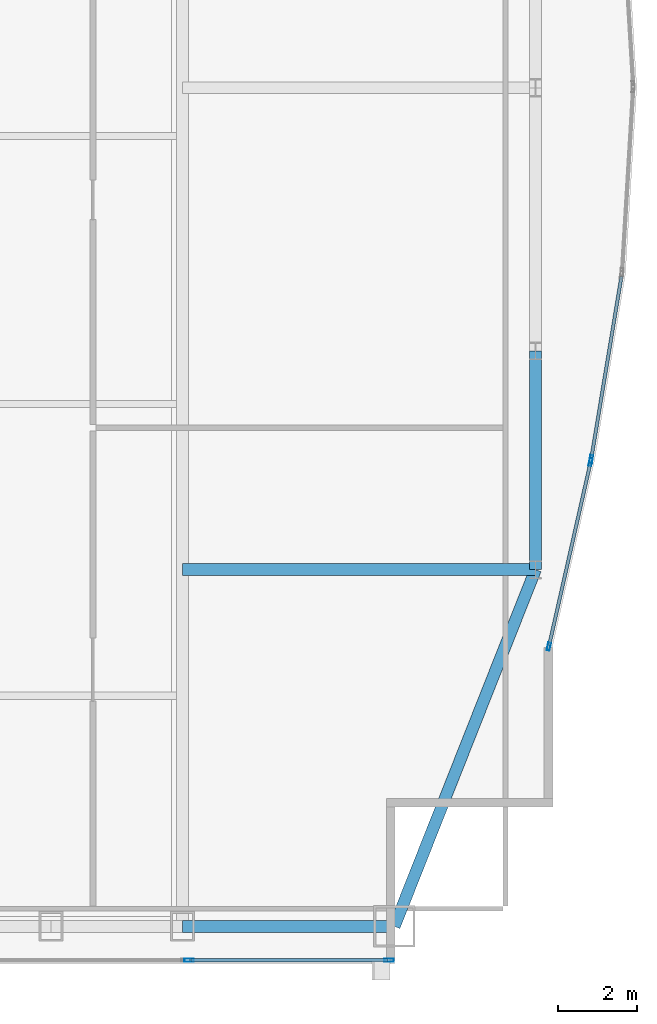
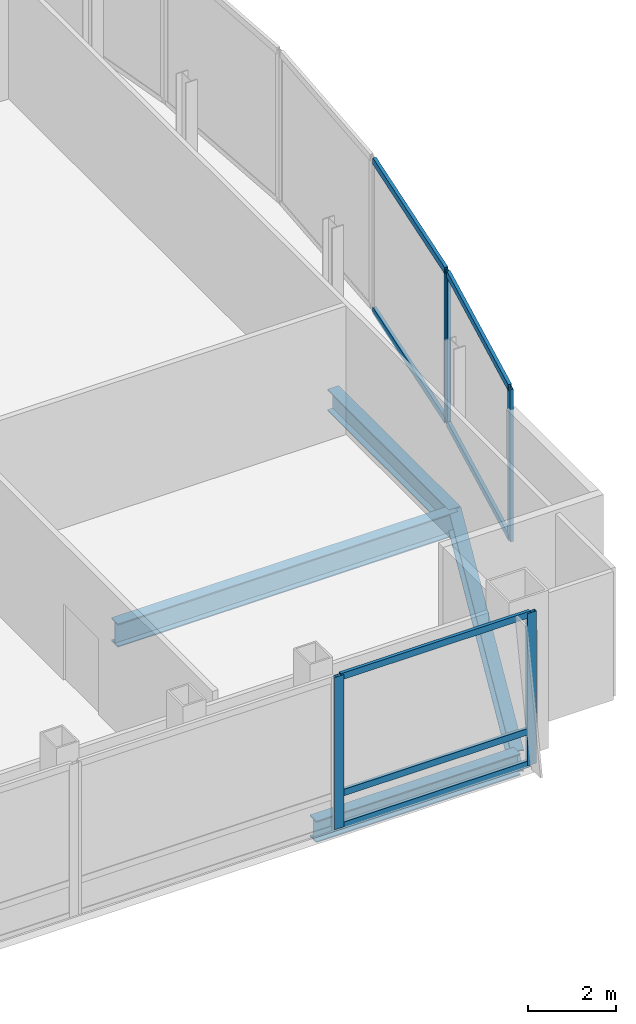
# One storey, part 16 of 28: 12 members, 4 beams, 3 elements without a shape of their own.
"""IFC4 building model written with IfcOpenShell, lengths in metres."""

from ifc_helpers import new_model, si_unit, direction, frame, origin, origin_2d, place, context, subcontext, project, spatial, hollow_rectangle, i_section, extrude, material, material_profile, profile_set, type_object, element, aggregate, save


model = new_model("IFC4")

# Units and contexts
model_context = context("Model", 3, precision=1e-05, world=origin(), true_north=direction((0.0, 1.0)))
body_context = subcontext(model_context, "Body", "Model", "MODEL_VIEW")
ifc_project = project(units=[si_unit("LENGTHUNIT", "METRE"), si_unit("AREAUNIT", "SQUARE_METRE"), si_unit("VOLUMEUNIT", "CUBIC_METRE"), si_unit("PLANEANGLEUNIT", "RADIAN"), si_unit("MASSUNIT", "GRAM", prefix="KILO")], contexts=[model_context])

# Site, building, storey
site_placement = place(None, origin())
site = spatial("IfcSite", under=ifc_project, at=site_placement, CompositionType="ELEMENT")
building_placement = place(site_placement, origin())
building = spatial("IfcBuilding", under=site, at=building_placement, Name="Khoronbel Lancet Exchange", CompositionType="ELEMENT")
storey_placement = place(building_placement, frame((0.0, 0.0, 265.39990234375)))
storey = spatial("IfcBuildingStorey", under=building, at=storey_placement, Name="L68", CompositionType="ELEMENT", Elevation=265.39990234375)

# Beams
ifc_material_1 = material(Name="Steel S355", Category="steel")
ifc_material_profile_1 = material_profile(ifc_material_1, i_section(OverallWidth=0.300048828125, OverallDepth=0.64990234375, WebThickness=0.01611328125, FlangeThickness=0.031005859375, at=origin_2d()), Name="HEB 650")
ifc_profile_set_1 = profile_set([ifc_material_profile_1], Name="Steel S355")
beam_type_1 = type_object("IfcBeamType", Name="BM-BG4", PredefinedType="BEAM", material=ifc_profile_set_1)
beam_1_placement = place(storey_placement, frame((54.675048828125, 19.199951171875, -0.52490234375), z_axis=(1.0, 0.0, 0.0), x_axis=(0.0, 1.0, 0.0)))
element("IfcBeam", 1, at=beam_1_placement, inside=storey, type_object=beam_type_1, Name="Level L68 east lens tie girder LG1E", PredefinedType="BEAM", context=body_context, shape_type="SweptSolid", body=[
    extrude(i_section(OverallWidth=0.300048828125, OverallDepth=0.64990234375, WebThickness=0.01611328125, FlangeThickness=0.031005859375, at=origin_2d()), origin(), (0.0, 0.0, 1.0), 8.954833984375),
])
ifc_material_profile_2 = material_profile(ifc_material_1, i_section(OverallWidth=0.300048828125, OverallDepth=0.60009765625, WebThickness=0.015380859375, FlangeThickness=0.030029296875, at=origin_2d()), Name="HEB 600")
ifc_profile_set_2 = profile_set([ifc_material_profile_2], Name="Steel S355")
beam_type_2 = type_object("IfcBeamType", Name="BM-BSP2", PredefinedType="SPANDREL", material=ifc_profile_set_2)
beam_2_placement = place(storey_placement, frame((54.675048828125, 10.14990234375, -0.5), z_axis=(1.0, 0.0, 0.0), x_axis=(0.0, 1.0, 0.0)))
element("IfcBeam", 2, at=beam_2_placement, inside=storey, type_object=beam_type_2, Name="Level L68 perimeter spandrel beam SP09", PredefinedType="SPANDREL", context=body_context, shape_type="SweptSolid", body=[
    extrude(i_section(OverallWidth=0.300048828125, OverallDepth=0.60009765625, WebThickness=0.015380859375, FlangeThickness=0.030029296875, at=origin_2d()), origin(), (0.0, 0.0, 1.0), 5.375),
])
beam_3_placement = place(storey_placement, frame((60.050048828125, 10.14990234375, -0.5), z_axis=(0.367828403855, 0.929893684954, 0.0), x_axis=(-0.929893684954, 0.367828403855, 0.0)))
element("IfcBeam", 3, at=beam_3_placement, inside=storey, type_object=beam_type_2, Name="Level L68 perimeter spandrel beam SP10", PredefinedType="SPANDREL", context=body_context, shape_type="SweptSolid", body=[
    extrude(i_section(OverallWidth=0.300048828125, OverallDepth=0.60009765625, WebThickness=0.015380859375, FlangeThickness=0.030029296875, at=origin_2d()), origin(), (0.0, 0.0, 1.0), 9.732421875),
])
beam_4_placement = place(storey_placement, frame((63.6298828125, 19.199951171875, -0.5), z_axis=(0.0, 1.0, 0.0), x_axis=(-1.0, 0.0, 0.0)))
element("IfcBeam", 4, at=beam_4_placement, inside=storey, type_object=beam_type_2, Name="Level L68 perimeter spandrel beam SP11", PredefinedType="SPANDREL", context=body_context, shape_type="SweptSolid", body=[
    extrude(i_section(OverallWidth=0.300048828125, OverallDepth=0.60009765625, WebThickness=0.015380859375, FlangeThickness=0.030029296875, at=origin_2d()), origin(), (0.0, 0.0, 1.0), 5.550048828125),
])

# Curtain wall, members
ifc_material_2 = material(Name="Low-E Solar Control Insulating Glass", Category="glass")
curtain_wall_type_1 = type_object("IfcCurtainWallType", Name="CW-3", PredefinedType="NOTDEFINED", material=ifc_material_2)
curtain_wall_1_placement = place(storey_placement, origin())
curtain_wall_1 = element("IfcCurtainWall", 5, at=curtain_wall_1_placement, inside=storey, type_object=curtain_wall_type_1, Name="Unitised curtain wall CW-L68-SEV", PredefinedType="NOTDEFINED")
ifc_material_3 = material(Name="Bronze-Anodised Aluminium 6063-T6", Category="aluminium")
ifc_material_profile_3 = material_profile(ifc_material_3, hollow_rectangle(XDim=0.0849609375, YDim=0.239990234375, WallThickness=0.006103515625, at=origin_2d()), Name="ALU MULLION 85x240")
ifc_profile_set_3 = profile_set([ifc_material_profile_3], Name="Bronze-Anodised Aluminium 6063-T6")
member_type_1 = type_object("IfcMemberType", Name="MEM-CWM1", PredefinedType="MULLION", material=ifc_profile_set_3)
member_1_placement = place(storey_placement, frame((54.842529296875, 9.2900390625, 0.0), z_axis=(0.0, 0.0, 1.0), x_axis=(0.0, 1.0, 0.0)))
member_1 = element("IfcMember", 6, at=member_1_placement, type_object=member_type_1, Name="CW3 mullion 1", PredefinedType="MULLION", context=body_context, shape_type="SweptSolid", body=[
    extrude(hollow_rectangle(XDim=0.0849609375, YDim=0.239990234375, WallThickness=0.006103515625, at=origin_2d()), origin(), (0.0, 0.0, 1.0), 4.239990234375),
])
member_2_placement = place(storey_placement, frame((59.91748046875, 9.2900390625, 0.0), z_axis=(0.0, 0.0, 1.0), x_axis=(0.0, 1.0, 0.0)))
member_2 = element("IfcMember", 7, at=member_2_placement, type_object=member_type_1, Name="CW3 mullion 2", PredefinedType="MULLION", context=body_context, shape_type="SweptSolid", body=[
    extrude(hollow_rectangle(XDim=0.0849609375, YDim=0.239990234375, WallThickness=0.006103515625, at=origin_2d()), origin(), (0.0, 0.0, 1.0), 4.239990234375),
])

# Curtain wall, member
curtain_wall_type_2 = type_object("IfcCurtainWallType", Name="CW-4", PredefinedType="NOTDEFINED", material=ifc_material_2)
curtain_wall_2_placement = place(storey_placement, origin())
curtain_wall_2 = element("IfcCurtainWall", 8, at=curtain_wall_2_placement, inside=storey, type_object=curtain_wall_type_2, Name="Unitised curtain wall CW-L68-E21", PredefinedType="NOTDEFINED")
ifc_material_profile_4 = material_profile(ifc_material_3, hollow_rectangle(XDim=0.074951171875, YDim=0.199951171875, WallThickness=0.0048828125, at=origin_2d()), Name="ALU MULLION 75x200")
ifc_profile_set_4 = profile_set([ifc_material_profile_4], Name="Bronze-Anodised Aluminium 6063-T6")
member_type_2 = type_object("IfcMemberType", Name="MEM-CWM2", PredefinedType="MULLION", material=ifc_profile_set_4)
member_3_placement = place(storey_placement, frame((65.042724609375, 22.00439453125, 0.0), z_axis=(0.0, 0.0, 1.0), x_axis=(0.986550884803, -0.163454433086, 0.0)))
member_3 = element("IfcMember", 9, at=member_3_placement, type_object=member_type_2, Name="CW4 mullion 2", PredefinedType="MULLION", context=body_context, shape_type="SweptSolid", body=[
    extrude(hollow_rectangle(XDim=0.074951171875, YDim=0.199951171875, WallThickness=0.0048828125, at=origin_2d()), origin(), (0.0, 0.0, 1.0), 4.239990234375),
])

# Curtain wall, members
curtain_wall_3_placement = place(storey_placement, origin())
curtain_wall_3 = element("IfcCurtainWall", 10, at=curtain_wall_3_placement, inside=storey, type_object=curtain_wall_type_2, Name="Unitised curtain wall CW-L68-E22", PredefinedType="NOTDEFINED")
member_4_placement = place(storey_placement, frame((65.0283203125, 21.9306640625, 0.0), z_axis=(0.0, 0.0, 1.0), x_axis=(0.97533545571, -0.220727770874, 0.0)))
member_4 = element("IfcMember", 11, at=member_4_placement, type_object=member_type_2, Name="CW4 mullion 1", PredefinedType="MULLION", context=body_context, shape_type="SweptSolid", body=[
    extrude(hollow_rectangle(XDim=0.074951171875, YDim=0.199951171875, WallThickness=0.0048828125, at=origin_2d()), origin(), (0.0, 0.0, 1.0), 4.239990234375),
])
member_5_placement = place(storey_placement, frame((63.96826171875, 17.24658203125, 0.0), z_axis=(0.0, 0.0, 1.0), x_axis=(0.97533545571, -0.220727770874, 0.0)))
member_5 = element("IfcMember", 12, at=member_5_placement, type_object=member_type_2, Name="CW4 mullion 2", PredefinedType="MULLION", context=body_context, shape_type="SweptSolid", body=[
    extrude(hollow_rectangle(XDim=0.074951171875, YDim=0.199951171875, WallThickness=0.0048828125, at=origin_2d()), origin(), (0.0, 0.0, 1.0), 4.239990234375),
])

# Member
ifc_material_profile_5 = material_profile(ifc_material_3, hollow_rectangle(XDim=0.0849609375, YDim=0.179931640625, WallThickness=0.0048828125, at=origin_2d()), Name="ALU TRANSOM 85x180")
ifc_profile_set_5 = profile_set([ifc_material_profile_5], Name="Bronze-Anodised Aluminium 6063-T6")
member_type_3 = type_object("IfcMemberType", Name="MEM-CWT1", PredefinedType="USERDEFINED", material=ifc_profile_set_5)
member_6_placement = place(storey_placement, frame((65.81005859375, 26.63623046875, 0.04248046875), z_axis=(-0.163438390416, -0.986553542662, 0.0), x_axis=(0.986553542662, -0.163438390416, 0.0)))
member_6 = element("IfcMember", 13, at=member_6_placement, type_object=member_type_3, Name="CW4 transom 1.1", ObjectType="TRANSOM", PredefinedType="USERDEFINED", context=body_context, shape_type="SweptSolid", body=[
    extrude(hollow_rectangle(XDim=0.0849609375, YDim=0.179931640625, WallThickness=0.0048828125, at=origin_2d()), origin(), (0.0, 0.0, 1.0), 4.65771484375),
])

member_7_placement = place(storey_placement, frame((65.81005859375, 26.63623046875, 4.197509765625), z_axis=(-0.163438390416, -0.986553542662, 0.0), x_axis=(0.986553542662, -0.163438390416, 0.0)))
member_7 = element("IfcMember", 14, at=member_7_placement, type_object=member_type_3, Name="CW4 transom 1.2", ObjectType="TRANSOM", PredefinedType="USERDEFINED", context=body_context, shape_type="SweptSolid", body=[
    extrude(hollow_rectangle(XDim=0.0849609375, YDim=0.179931640625, WallThickness=0.0048828125, at=origin_2d()), origin(), (0.0, 0.0, 1.0), 4.65771484375),
])

aggregate(curtain_wall_2, [member_3, member_6, member_7])

member_8_placement = place(storey_placement, frame((65.02001953125, 21.89404296875, 0.04248046875), z_axis=(-0.220723693805, -0.975336378381, 0.0), x_axis=(0.975336378381, -0.220723693805, 0.0)))
member_8 = element("IfcMember", 15, at=member_8_placement, type_object=member_type_3, Name="CW4 transom 1.1", ObjectType="TRANSOM", PredefinedType="USERDEFINED", context=body_context, shape_type="SweptSolid", body=[
    extrude(hollow_rectangle(XDim=0.0849609375, YDim=0.179931640625, WallThickness=0.0048828125, at=origin_2d()), origin(), (0.0, 0.0, 1.0), 4.7275390625),
])

member_9_placement = place(storey_placement, frame((65.02001953125, 21.89404296875, 4.197509765625), z_axis=(-0.220723693805, -0.975336378381, 0.0), x_axis=(0.975336378381, -0.220723693805, 0.0)))
member_9 = element("IfcMember", 16, at=member_9_placement, type_object=member_type_3, Name="CW4 transom 1.2", ObjectType="TRANSOM", PredefinedType="USERDEFINED", context=body_context, shape_type="SweptSolid", body=[
    extrude(hollow_rectangle(XDim=0.0849609375, YDim=0.179931640625, WallThickness=0.0048828125, at=origin_2d()), origin(), (0.0, 0.0, 1.0), 4.7275390625),
])

aggregate(curtain_wall_3, [member_4, member_5, member_8, member_9])

member_10_placement = place(storey_placement, frame((54.885009765625, 9.2900390625, 0.04248046875), z_axis=(1.0, 0.0, 0.0), x_axis=(0.0, 1.0, 0.0)))
member_10 = element("IfcMember", 17, at=member_10_placement, type_object=member_type_3, Name="CW3 transom 1.1", ObjectType="TRANSOM", PredefinedType="USERDEFINED", context=body_context, shape_type="SweptSolid", body=[
    extrude(hollow_rectangle(XDim=0.0849609375, YDim=0.179931640625, WallThickness=0.0048828125, at=origin_2d()), origin(), (0.0, 0.0, 1.0), 4.989990234375),
])

member_11_placement = place(storey_placement, frame((54.885009765625, 9.2900390625, 0.9501953125), z_axis=(1.0, 0.0, 0.0), x_axis=(0.0, 1.0, 0.0)))
member_11 = element("IfcMember", 18, at=member_11_placement, type_object=member_type_3, Name="CW3 transom 1.2", ObjectType="TRANSOM", PredefinedType="USERDEFINED", context=body_context, shape_type="SweptSolid", body=[
    extrude(hollow_rectangle(XDim=0.0849609375, YDim=0.179931640625, WallThickness=0.0048828125, at=origin_2d()), origin(), (0.0, 0.0, 1.0), 4.989990234375),
])

member_12_placement = place(storey_placement, frame((54.885009765625, 9.2900390625, 4.197509765625), z_axis=(1.0, 0.0, 0.0), x_axis=(0.0, 1.0, 0.0)))
member_12 = element("IfcMember", 19, at=member_12_placement, type_object=member_type_3, Name="CW3 transom 1.3", ObjectType="TRANSOM", PredefinedType="USERDEFINED", context=body_context, shape_type="SweptSolid", body=[
    extrude(hollow_rectangle(XDim=0.0849609375, YDim=0.179931640625, WallThickness=0.0048828125, at=origin_2d()), origin(), (0.0, 0.0, 1.0), 4.989990234375),
])

aggregate(curtain_wall_1, [member_1, member_2, member_10, member_11, member_12])

save(model, "model.ifc")
